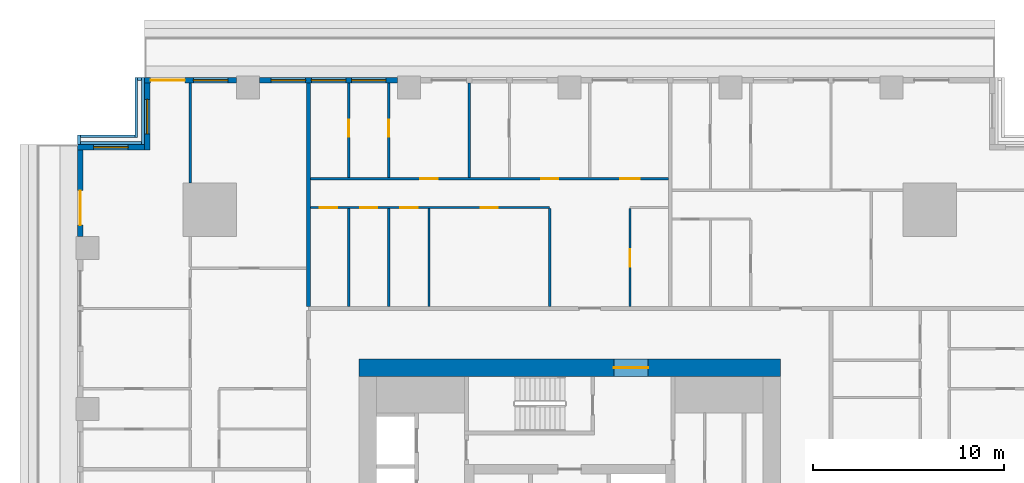
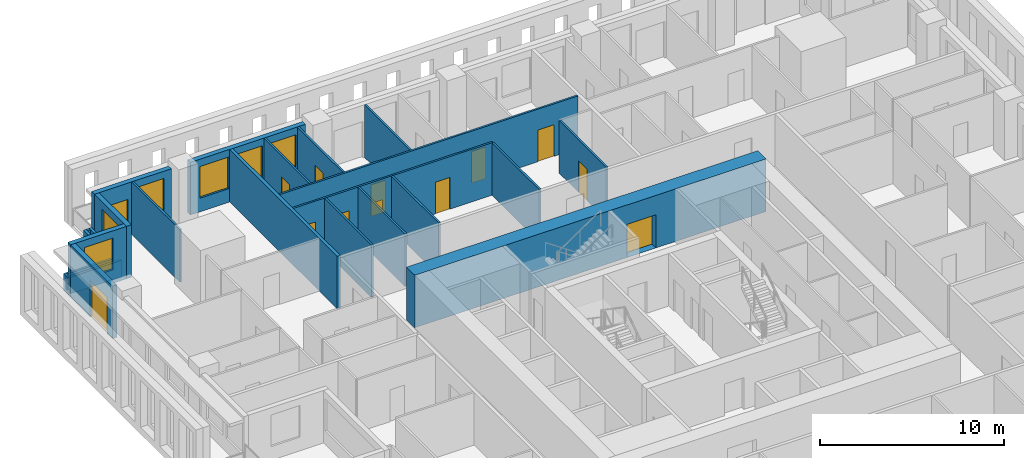
# One storey, part 8 of 16: 24 walls, 13 doors, 6 windows, 19 openings.
"""IFC4 building model written with IfcOpenShell, lengths in metres."""

from ifc_helpers import new_model, si_unit, direction, frame, frame_2d, origin, place, context, subcontext, project, spatial, rectangle, extrude, material, layer, layer_set, type_object, element, fill, save


model = new_model("IFC4")

# Units and contexts
model_context = context("Model", 3, precision=1e-05, world=origin(), true_north=direction((0.0, 1.0)))
body_context = subcontext(model_context, "Body", "Model", "MODEL_VIEW")
ifc_project = project(units=[si_unit("LENGTHUNIT", "METRE"), si_unit("AREAUNIT", "SQUARE_METRE"), si_unit("VOLUMEUNIT", "CUBIC_METRE"), si_unit("PLANEANGLEUNIT", "RADIAN"), si_unit("MASSUNIT", "GRAM", prefix="KILO")], contexts=[model_context])

# Site, building, storey
site_placement = place(None, origin())
site = spatial("IfcSite", under=ifc_project, at=site_placement, CompositionType="ELEMENT")
building_placement = place(site_placement, origin())
building = spatial("IfcBuilding", under=site, at=building_placement, Name="Khepri Terraces", CompositionType="ELEMENT")
storey_placement = place(building_placement, frame((0.0, 0.0, 79.199951171875)))
storey = spatial("IfcBuildingStorey", under=building, at=storey_placement, Name="L18", CompositionType="ELEMENT", Elevation=79.199951171875)

# Wall, opening, door
ifc_material_1 = material(Name="Concrete C70/85", Category="concrete")
ifc_layer_1 = layer(ifc_material_1, 0.89990234375, Name="Concrete C70/85", Category="concrete")
ifc_layer_set_1 = layer_set([ifc_layer_1], Name="Concrete C70/85")
wall_type_1 = type_object("IfcWallType", Name="Core wall 900 C70/85", PredefinedType="SHEAR", material=ifc_layer_set_1)
wall_1_placement = place(storey_placement, frame((-11.0, 10.550048828125, 0.0), z_axis=(0.0, 0.0, 1.0), x_axis=(1.0, 0.0, 0.0)))
wall_1 = element("IfcWall", 1, at=wall_1_placement, inside=storey, type_object=wall_type_1, Name="Core wall OW-N L18", PredefinedType="SHEAR", context=body_context, shape_type="SweptSolid", body=[
    extrude(rectangle(XDim=22.0, YDim=0.89990234375, at=frame_2d((11.0, 0.0))), origin(), (0.0, 0.0, 1.0), 3.47998046875),
])
opening_1_placement = place(wall_1_placement, frame((13.300048828125, 0.0, 0.0)))
opening_1 = element("IfcOpeningElement", 2, at=opening_1_placement, cuts=wall_1, Name="Opening L18-C20", PredefinedType="OPENING", context=body_context, shape_type="SweptSolid", body=[
    extrude(rectangle(XDim=1.800048828125, YDim=2.199951171875, at=frame_2d((0.89990234375, 1.10009765625))), frame((0.0, 0.4599609375, 0.0), z_axis=(0.0, -1.0, 0.0), x_axis=(1.0, 0.0, 0.0)), (0.0, 0.0, 1.0), 0.919921875),
])
ifc_material_2 = material(Name="Painted steel", Category="steel")
door_type_1 = type_object("IfcDoorType", Name="DR-CORE-ENTRANCE-1800", OperationType="NOTDEFINED", PredefinedType="DOOR", material=ifc_material_2)
door_1_placement = place(opening_1_placement, origin())
door_1 = element("IfcDoor", 3, at=door_1_placement, inside=storey, type_object=door_type_1, Name="Core entrance door pair L18-C20", OperationType="DOUBLE_DOOR_SINGLE_SWING", OverallHeight=2.199951171875, OverallWidth=1.800048828125, PredefinedType="DOOR", context=body_context, shape_type="SweptSolid", body=[
    extrude(rectangle(XDim=1.800048828125, YDim=2.199951171875, at=frame_2d((0.89990234375, 1.10009765625))), frame((0.0, 0.02490234375, 0.0), z_axis=(0.0, -1.0, 0.0), x_axis=(1.0, 0.0, 0.0)), (0.0, 0.0, 1.0), 0.050048828125),
])
fill(opening_1, door_1)

# Wall
ifc_material_3 = material(Name="Fire-rated gypsum plasterboard partition, mineral wool")
ifc_layer_2 = layer(ifc_material_3, 0.199951171875, Name="Fire-rated gypsum plasterboard partition, mineral wool")
ifc_layer_set_2 = layer_set([ifc_layer_2], Name="Fire-rated gypsum plasterboard partition, mineral wool")
wall_type_2 = type_object("IfcWallType", Name="WL-CORR-200", PredefinedType="PARTITIONING", material=ifc_layer_set_2)
wall_2_placement = place(storey_placement, frame((-13.64990234375, 13.75, 0.0), z_axis=(0.0, 0.0, 1.0), x_axis=(0.0, 1.0, 0.0)))
element("IfcWall", 4, at=wall_2_placement, inside=storey, type_object=wall_type_2, Name="Partition P-081 L18", PredefinedType="PARTITIONING", context=body_context, shape_type="SweptSolid", body=[
    extrude(rectangle(XDim=11.669921875, YDim=0.199951171875, at=frame_2d((5.8349609375, 0.0))), origin(), (0.0, 0.0, 1.0), 3.47998046875),
])

# Wall, openings, windows
ifc_material_4 = material(Name="Precast concrete C50/60 warm stone", Category="masonry")
ifc_layer_3 = layer(ifc_material_4, 0.300048828125, Name="Precast concrete C50/60 warm stone", Category="masonry")
ifc_layer_set_3 = layer_set([ifc_layer_3], Name="Precast concrete C50/60 warm stone")
wall_type_3 = type_object("IfcWallType", Name="WL-EXT-PRECAST-300", PredefinedType="STANDARD", material=ifc_layer_set_3)
wall_3_placement = place(storey_placement, frame((-9.0, 25.570068359375, 0.0), z_axis=(0.0, 0.0, 1.0), x_axis=(-1.0, 0.0, 0.0)))
wall_3 = element("IfcWall", 5, at=wall_3_placement, inside=storey, type_object=wall_type_3, Name="External wall L18 N", PredefinedType="STANDARD", context=body_context, shape_type="SweptSolid", body=[
    extrude(rectangle(XDim=7.199951171875, YDim=0.300048828125, at=frame_2d((3.60009765625, 0.0))), origin(), (0.0, 0.0, 1.0), 3.47998046875),
])
opening_2_placement = place(wall_3_placement, frame((0.60009765625, 0.0, 0.89990234375)))
opening_2 = element("IfcOpeningElement", 6, at=opening_2_placement, cuts=wall_3, Name="Opening W1", PredefinedType="OPENING", context=body_context, shape_type="SweptSolid", body=[
    extrude(rectangle(XDim=1.800048828125, YDim=2.10009765625, at=frame_2d((0.89990234375, 1.050048828125))), frame((0.0, 0.16015625, 0.0), z_axis=(0.0, -1.0, 0.0), x_axis=(1.0, 0.0, 0.0)), (0.0, 0.0, 1.0), 0.320068359375),
])
opening_3_placement = place(wall_3_placement, frame((2.699951171875, 0.0, 0.89990234375)))
opening_3 = element("IfcOpeningElement", 7, at=opening_3_placement, cuts=wall_3, Name="Opening W1", PredefinedType="OPENING", context=body_context, shape_type="SweptSolid", body=[
    extrude(rectangle(XDim=1.800048828125, YDim=2.10009765625, at=frame_2d((0.89990234375, 1.050048828125))), frame((0.0, 0.16015625, 0.0), z_axis=(0.0, -1.0, 0.0), x_axis=(1.0, 0.0, 0.0)), (0.0, 0.0, 1.0), 0.320068359375),
])
opening_4_placement = place(wall_3_placement, frame((4.800048828125, 0.0, 0.89990234375)))
opening_4 = element("IfcOpeningElement", 8, at=opening_4_placement, cuts=wall_3, Name="Opening W1", PredefinedType="OPENING", context=body_context, shape_type="SweptSolid", body=[
    extrude(rectangle(XDim=1.800048828125, YDim=2.10009765625, at=frame_2d((0.89990234375, 1.050048828125))), frame((0.0, 0.16015625, 0.0), z_axis=(0.0, -1.0, 0.0), x_axis=(1.0, 0.0, 0.0)), (0.0, 0.0, 1.0), 0.320068359375),
])
ifc_material_5 = material(Name="Clear glass", Category="glass")
window_type = type_object("IfcWindowType", Name="WIN-RES-1800x2100", PartitioningType="SINGLE_PANEL", PredefinedType="WINDOW", material=ifc_material_5)
window_1_placement = place(opening_2_placement, origin())
window_1 = element("IfcWindow", 9, at=window_1_placement, inside=storey, type_object=window_type, Name="Window L18 N", OverallHeight=2.10009765625, OverallWidth=1.800048828125, PartitioningType="SINGLE_PANEL", PredefinedType="WINDOW", context=body_context, shape_type="SweptSolid", body=[
    extrude(rectangle(XDim=1.800048828125, YDim=2.10009765625, at=frame_2d((0.89990234375, 1.050048828125))), frame((0.0, 0.030029296875, 0.0), z_axis=(0.0, -1.0, 0.0), x_axis=(1.0, 0.0, 0.0)), (0.0, 0.0, 1.0), 0.06005859375),
])
fill(opening_2, window_1)
window_2_placement = place(opening_3_placement, origin())
window_2 = element("IfcWindow", 10, at=window_2_placement, inside=storey, type_object=window_type, Name="Window L18 N", OverallHeight=2.10009765625, OverallWidth=1.800048828125, PartitioningType="SINGLE_PANEL", PredefinedType="WINDOW", context=body_context, shape_type="SweptSolid", body=[
    extrude(rectangle(XDim=1.800048828125, YDim=2.10009765625, at=frame_2d((0.89990234375, 1.050048828125))), frame((0.0, 0.030029296875, 0.0), z_axis=(0.0, -1.0, 0.0), x_axis=(1.0, 0.0, 0.0)), (0.0, 0.0, 1.0), 0.06005859375),
])
fill(opening_3, window_2)
window_3_placement = place(opening_4_placement, origin())
window_3 = element("IfcWindow", 11, at=window_3_placement, inside=storey, type_object=window_type, Name="Window L18 N", OverallHeight=2.10009765625, OverallWidth=1.800048828125, PartitioningType="SINGLE_PANEL", PredefinedType="WINDOW", context=body_context, shape_type="SweptSolid", body=[
    extrude(rectangle(XDim=1.800048828125, YDim=2.10009765625, at=frame_2d((0.89990234375, 1.050048828125))), frame((0.0, 0.030029296875, 0.0), z_axis=(0.0, -1.0, 0.0), x_axis=(1.0, 0.0, 0.0)), (0.0, 0.0, 1.0), 0.06005859375),
])
fill(opening_4, window_3)

# Wall, openings, door, window
wall_4_placement = place(storey_placement, frame((-17.39990234375, 25.570068359375, 0.0), z_axis=(0.0, 0.0, 1.0), x_axis=(-1.0, 0.0, 0.0)))
wall_4 = element("IfcWall", 12, at=wall_4_placement, inside=storey, type_object=wall_type_3, Name="External wall L18 N", PredefinedType="STANDARD", context=body_context, shape_type="SweptSolid", body=[
    extrude(rectangle(XDim=4.820068359375, YDim=0.300048828125, at=frame_2d((2.41015625, 0.0))), origin(), (0.0, 0.0, 1.0), 3.47998046875),
])
opening_5_placement = place(wall_4_placement, frame((2.699951171875, 0.0, 0.0)))
opening_5 = element("IfcOpeningElement", 13, at=opening_5_placement, cuts=wall_4, Name="Opening ED-L18-13", PredefinedType="OPENING", context=body_context, shape_type="SweptSolid", body=[
    extrude(rectangle(XDim=1.800048828125, YDim=2.39990234375, at=frame_2d((0.89990234375, 1.199951171875))), frame((0.0, 0.16015625, 0.0), z_axis=(0.0, -1.0, 0.0), x_axis=(1.0, 0.0, 0.0)), (0.0, 0.0, 1.0), 0.320068359375),
])
opening_6_placement = place(wall_4_placement, frame((0.4599609375, 0.0, 0.89990234375)))
opening_6 = element("IfcOpeningElement", 14, at=opening_6_placement, cuts=wall_4, Name="Opening W1", PredefinedType="OPENING", context=body_context, shape_type="SweptSolid", body=[
    extrude(rectangle(XDim=1.800048828125, YDim=2.10009765625, at=frame_2d((0.89990234375, 1.050048828125))), frame((0.0, 0.16015625, 0.0), z_axis=(0.0, -1.0, 0.0), x_axis=(1.0, 0.0, 0.0)), (0.0, 0.0, 1.0), 0.320068359375),
])
ifc_material_6 = material(Name="Anodised aluminium bronze glazed door", Category="aluminium")
door_type_2 = type_object("IfcDoorType", Name="DR-BAL-SLIDE-1800x2400", OperationType="NOTDEFINED", PredefinedType="DOOR", material=ifc_material_6)
door_2_placement = place(opening_5_placement, origin())
door_2 = element("IfcDoor", 15, at=door_2_placement, inside=storey, type_object=door_type_2, Name="Balcony door L18 N", OperationType="SLIDING_TO_LEFT", OverallHeight=2.39990234375, OverallWidth=1.800048828125, PredefinedType="DOOR", context=body_context, shape_type="SweptSolid", body=[
    extrude(rectangle(XDim=1.800048828125, YDim=2.39990234375, at=frame_2d((0.89990234375, 1.199951171875))), frame((0.0, 0.02490234375, 0.0), z_axis=(0.0, -1.0, 0.0), x_axis=(1.0, 0.0, 0.0)), (0.0, 0.0, 1.0), 0.050048828125),
])
fill(opening_5, door_2)
window_4_placement = place(opening_6_placement, origin())
window_4 = element("IfcWindow", 16, at=window_4_placement, inside=storey, type_object=window_type, Name="Window L18 N", OverallHeight=2.10009765625, OverallWidth=1.800048828125, PartitioningType="SINGLE_PANEL", PredefinedType="WINDOW", context=body_context, shape_type="SweptSolid", body=[
    extrude(rectangle(XDim=1.800048828125, YDim=2.10009765625, at=frame_2d((0.89990234375, 1.050048828125))), frame((0.0, 0.030029296875, 0.0), z_axis=(0.0, -1.0, 0.0), x_axis=(1.0, 0.0, 0.0)), (0.0, 0.0, 1.0), 0.06005859375),
])
fill(opening_6, window_4)

# Wall, opening, window
wall_5_placement = place(storey_placement, frame((-22.070068359375, 25.419921875, 0.0), z_axis=(0.0, 0.0, 1.0), x_axis=(0.0, -1.0, 0.0)))
wall_5 = element("IfcWall", 17, at=wall_5_placement, inside=storey, type_object=wall_type_3, Name="External wall L18 W", PredefinedType="STANDARD", context=body_context, shape_type="SweptSolid", body=[
    extrude(rectangle(XDim=3.5, YDim=0.300048828125, at=frame_2d((1.75, 0.0))), origin(), (0.0, 0.0, 1.0), 3.47998046875),
])
opening_7_placement = place(wall_5_placement, frame((0.85009765625, 0.0, 0.89990234375)))
opening_7 = element("IfcOpeningElement", 18, at=opening_7_placement, cuts=wall_5, Name="Opening W1", PredefinedType="OPENING", context=body_context, shape_type="SweptSolid", body=[
    extrude(rectangle(XDim=1.800048828125, YDim=2.10009765625, at=frame_2d((0.89990234375, 1.050048828125))), frame((0.0, 0.16015625, 0.0), z_axis=(0.0, -1.0, 0.0), x_axis=(1.0, 0.0, 0.0)), (0.0, 0.0, 1.0), 0.320068359375),
])
window_5_placement = place(opening_7_placement, origin())
window_5 = element("IfcWindow", 19, at=window_5_placement, inside=storey, type_object=window_type, Name="Window L18 W", OverallHeight=2.10009765625, OverallWidth=1.800048828125, PartitioningType="SINGLE_PANEL", PredefinedType="WINDOW", context=body_context, shape_type="SweptSolid", body=[
    extrude(rectangle(XDim=1.800048828125, YDim=2.10009765625, at=frame_2d((0.89990234375, 1.050048828125))), frame((0.0, 0.030029296875, 0.0), z_axis=(0.0, -1.0, 0.0), x_axis=(1.0, 0.0, 0.0)), (0.0, 0.0, 1.0), 0.06005859375),
])
fill(opening_7, window_5)

wall_6_placement = place(storey_placement, frame((-22.219970703125, 22.070068359375, 0.0), z_axis=(0.0, 0.0, 1.0), x_axis=(-1.0, 0.0, 0.0)))
wall_6 = element("IfcWall", 20, at=wall_6_placement, inside=storey, type_object=wall_type_3, Name="External wall L18 N", PredefinedType="STANDARD", context=body_context, shape_type="SweptSolid", body=[
    extrude(rectangle(XDim=3.5, YDim=0.300048828125, at=frame_2d((1.75, 0.0))), origin(), (0.0, 0.0, 1.0), 3.47998046875),
])
opening_8_placement = place(wall_6_placement, frame((0.85009765625, 0.0, 0.89990234375)))
opening_8 = element("IfcOpeningElement", 21, at=opening_8_placement, cuts=wall_6, Name="Opening W1", PredefinedType="OPENING", context=body_context, shape_type="SweptSolid", body=[
    extrude(rectangle(XDim=1.800048828125, YDim=2.10009765625, at=frame_2d((0.89990234375, 1.050048828125))), frame((0.0, 0.16015625, 0.0), z_axis=(0.0, -1.0, 0.0), x_axis=(1.0, 0.0, 0.0)), (0.0, 0.0, 1.0), 0.320068359375),
])
window_6_placement = place(opening_8_placement, origin())
window_6 = element("IfcWindow", 22, at=window_6_placement, inside=storey, type_object=window_type, Name="Window L18 N", OverallHeight=2.10009765625, OverallWidth=1.800048828125, PartitioningType="SINGLE_PANEL", PredefinedType="WINDOW", context=body_context, shape_type="SweptSolid", body=[
    extrude(rectangle(XDim=1.800048828125, YDim=2.10009765625, at=frame_2d((0.89990234375, 1.050048828125))), frame((0.0, 0.030029296875, 0.0), z_axis=(0.0, -1.0, 0.0), x_axis=(1.0, 0.0, 0.0)), (0.0, 0.0, 1.0), 0.06005859375),
])
fill(opening_8, window_6)

# Wall, opening, door
wall_7_placement = place(storey_placement, frame((-25.570068359375, 21.919921875, 0.0), z_axis=(0.0, 0.0, 1.0), x_axis=(0.0, -1.0, 0.0)))
wall_7 = element("IfcWall", 23, at=wall_7_placement, inside=storey, type_object=wall_type_3, Name="External wall L18 W", PredefinedType="STANDARD", context=body_context, shape_type="SweptSolid", body=[
    extrude(rectangle(XDim=4.52001953125, YDim=0.300048828125, at=frame_2d((2.260009765625, 0.0))), origin(), (0.0, 0.0, 1.0), 3.47998046875),
])
opening_9_placement = place(wall_7_placement, frame((2.1201171875, 0.0, 0.0)))
opening_9 = element("IfcOpeningElement", 24, at=opening_9_placement, cuts=wall_7, Name="Opening ED-L18-14", PredefinedType="OPENING", context=body_context, shape_type="SweptSolid", body=[
    extrude(rectangle(XDim=1.800048828125, YDim=2.39990234375, at=frame_2d((0.89990234375, 1.199951171875))), frame((0.0, 0.16015625, 0.0), z_axis=(0.0, -1.0, 0.0), x_axis=(1.0, 0.0, 0.0)), (0.0, 0.0, 1.0), 0.320068359375),
])
door_3_placement = place(opening_9_placement, origin())
door_3 = element("IfcDoor", 25, at=door_3_placement, inside=storey, type_object=door_type_2, Name="Balcony door L18 W", OperationType="SLIDING_TO_RIGHT", OverallHeight=2.39990234375, OverallWidth=1.800048828125, PredefinedType="DOOR", context=body_context, shape_type="SweptSolid", body=[
    extrude(rectangle(XDim=1.800048828125, YDim=2.39990234375, at=frame_2d((0.89990234375, 1.199951171875))), frame((0.0, 0.02490234375, 0.0), z_axis=(0.0, -1.0, 0.0), x_axis=(1.0, 0.0, 0.0)), (0.0, 0.0, 1.0), 0.050048828125),
])
fill(opening_9, door_3)

# Walls
ifc_layer_4 = layer(ifc_material_4, 0.14990234375, Name="Precast concrete C50/60 warm stone", Category="masonry")
ifc_layer_set_4 = layer_set([ifc_layer_4], Name="Precast concrete C50/60 warm stone")
wall_type_4 = type_object("IfcWallType", Name="WL-PARAPET-150", PredefinedType="PARAPET", material=ifc_layer_set_4)
wall_8_placement = place(storey_placement, frame((-25.64501953125, 22.219970703125, 0.0), z_axis=(0.0, 0.0, 1.0), x_axis=(0.0, 1.0, 0.0)))
element("IfcWall", 26, at=wall_8_placement, inside=storey, type_object=wall_type_4, Name="Ledge parapet L18", PredefinedType="PARAPET", context=body_context, shape_type="SweptSolid", body=[
    extrude(rectangle(XDim=0.5, YDim=0.14990234375, at=frame_2d((0.25, 0.0))), origin(), (0.0, 0.0, 1.0), 1.10009765625),
])
wall_9_placement = place(storey_placement, frame((-25.570068359375, 22.64501953125, 0.0), z_axis=(0.0, 0.0, 1.0), x_axis=(1.0, 0.0, 0.0)))
element("IfcWall", 27, at=wall_9_placement, inside=storey, type_object=wall_type_4, Name="Ledge parapet L18", PredefinedType="PARAPET", context=body_context, shape_type="SweptSolid", body=[
    extrude(rectangle(XDim=2.85009765625, YDim=0.14990234375, at=frame_2d((1.425048828125, 0.0))), origin(), (0.0, 0.0, 1.0), 1.10009765625),
])
wall_10_placement = place(storey_placement, frame((-25.570068359375, 22.294921875, 0.0), z_axis=(0.0, 0.0, 1.0), x_axis=(1.0, 0.0, 0.0)))
element("IfcWall", 28, at=wall_10_placement, inside=storey, type_object=wall_type_4, Name="Ledge parapet L18", PredefinedType="PARAPET", context=body_context, shape_type="SweptSolid", body=[
    extrude(rectangle(XDim=3.199951171875, YDim=0.14990234375, at=frame_2d((1.60009765625, 0.0))), origin(), (0.0, 0.0, 1.0), 1.10009765625),
])
wall_11_placement = place(storey_placement, frame((-22.64501953125, 22.570068359375, 0.0), z_axis=(0.0, 0.0, 1.0), x_axis=(0.0, 1.0, 0.0)))
element("IfcWall", 29, at=wall_11_placement, inside=storey, type_object=wall_type_4, Name="Ledge parapet L18", PredefinedType="PARAPET", context=body_context, shape_type="SweptSolid", body=[
    extrude(rectangle(XDim=3.14990234375, YDim=0.14990234375, at=frame_2d((1.574951171875, 0.0))), origin(), (0.0, 0.0, 1.0), 1.10009765625),
])
wall_12_placement = place(storey_placement, frame((-22.570068359375, 25.64501953125, 0.0), z_axis=(0.0, 0.0, 1.0), x_axis=(1.0, 0.0, 0.0)))
element("IfcWall", 30, at=wall_12_placement, inside=storey, type_object=wall_type_4, Name="Ledge parapet L18", PredefinedType="PARAPET", context=body_context, shape_type="SweptSolid", body=[
    extrude(rectangle(XDim=0.199951171875, YDim=0.14990234375, at=frame_2d((0.10009765625, 0.0))), origin(), (0.0, 0.0, 1.0), 1.10009765625),
])
wall_13_placement = place(storey_placement, frame((-22.294921875, 22.219970703125, 0.0), z_axis=(0.0, 0.0, 1.0), x_axis=(0.0, 1.0, 0.0)))
element("IfcWall", 31, at=wall_13_placement, inside=storey, type_object=wall_type_4, Name="Ledge parapet L18", PredefinedType="PARAPET", context=body_context, shape_type="SweptSolid", body=[
    extrude(rectangle(XDim=3.5, YDim=0.14990234375, at=frame_2d((1.75, 0.0))), origin(), (0.0, 0.0, 1.0), 1.10009765625),
])
ifc_material_7 = material(Name="Gypsum plasterboard partition")
ifc_layer_5 = layer(ifc_material_7, 0.1201171875, Name="Gypsum plasterboard partition")
ifc_layer_set_5 = layer_set([ifc_layer_5], Name="Gypsum plasterboard partition")
wall_type_5 = type_object("IfcWallType", Name="WL-PART-120", PredefinedType="PARTITIONING", material=ifc_layer_set_5)
for number, where, z_axis, x_axis, name in (
    (32, (-11.550048828125, 13.75, 0.0), (0.0, 0.0, 1.0), (0.0, 1.0, 0.0), "Partition P-082 L18"),
    (33, (-9.449951171875, 13.75, 0.0), (0.0, 0.0, 1.0), (0.0, 1.0, 0.0), "Partition P-083 L18"),
    (34, (-7.35009765625, 13.75, 0.0), (0.0, 0.0, 1.0), (0.0, 1.0, 0.0), "Partition P-084 L18"),
    (35, (-1.050048828125, 13.75, 0.0), (0.0, 0.0, 1.0), (0.0, 1.0, 0.0), "Partition P-085 L18"),
):
    element("IfcWall", number, at=place(storey_placement, frame(where, z_axis=z_axis, x_axis=x_axis)), inside=storey, type_object=wall_type_5, Name=name, PredefinedType="PARTITIONING", context=body_context, shape_type="SweptSolid", body=[
        extrude(rectangle(XDim=5.110107421875, YDim=0.1201171875, at=frame_2d((2.55517578125, 0.0))), origin(), (0.0, 0.0, 1.0), 3.47998046875),
    ])

# Wall, opening, door
wall_14_placement = place(storey_placement, frame((3.14990234375, 13.75, 0.0), z_axis=(0.0, 0.0, 1.0), x_axis=(0.0, 1.0, 0.0)))
wall_14 = element("IfcWall", 36, at=wall_14_placement, inside=storey, type_object=wall_type_5, Name="Partition P-086 L18", PredefinedType="PARTITIONING", context=body_context, shape_type="SweptSolid", body=[
    extrude(rectangle(XDim=5.110107421875, YDim=0.1201171875, at=frame_2d((2.55517578125, 0.0))), origin(), (0.0, 0.0, 1.0), 3.47998046875),
])
opening_10_placement = place(wall_14_placement, frame((2.0849609375, 0.0, 0.0)))
opening_10 = element("IfcOpeningElement", 37, at=opening_10_placement, cuts=wall_14, Name="Opening D3", PredefinedType="OPENING", context=body_context, shape_type="SweptSolid", body=[
    extrude(rectangle(XDim=0.89990234375, YDim=2.10009765625, at=frame_2d((0.449951171875, 1.050048828125))), frame((0.0, 0.070068359375, 0.0), z_axis=(0.0, -1.0, 0.0), x_axis=(1.0, 0.0, 0.0)), (0.0, 0.0, 1.0), 0.14013671875),
])
ifc_material_8 = material(Name="Timber door leaf", Category="wood")
door_type_3 = type_object("IfcDoorType", Name="DR-INT-900", OperationType="NOTDEFINED", PredefinedType="DOOR", material=ifc_material_8)
door_4_placement = place(opening_10_placement, frame((0.89990234375, 0.0, 0.0), z_axis=(0.0, 0.0, 1.0), x_axis=(-1.0, 0.0, 0.0)))
door_4 = element("IfcDoor", 38, at=door_4_placement, inside=storey, type_object=door_type_3, Name="Door Utility Room", OperationType="SINGLE_SWING_RIGHT", OverallHeight=2.10009765625, OverallWidth=0.89990234375, PredefinedType="DOOR", context=body_context, shape_type="SweptSolid", body=[
    extrude(rectangle(XDim=0.89990234375, YDim=2.10009765625, at=frame_2d((0.449951171875, 1.050048828125))), frame((0.0, 0.02490234375, 0.0), z_axis=(0.0, -1.0, 0.0), x_axis=(1.0, 0.0, 0.0)), (0.0, 0.0, 1.0), 0.050048828125),
])
fill(opening_10, door_4)

# Wall, openings, doors
wall_15_placement = place(storey_placement, frame((-13.550048828125, 18.919921875, 0.0), z_axis=(0.0, 0.0, 1.0), x_axis=(1.0, 0.0, 0.0)))
wall_15 = element("IfcWall", 39, at=wall_15_placement, inside=storey, type_object=wall_type_5, Name="Partition P-094 L18", PredefinedType="PARTITIONING", context=body_context, shape_type="SweptSolid", body=[
    extrude(rectangle(XDim=12.5, YDim=0.1201171875, at=frame_2d((6.25, 0.0))), origin(), (0.0, 0.0, 1.0), 3.47998046875),
])
opening_11_placement = place(wall_15_placement, frame((8.89990234375, 0.0, 0.0)))
opening_11 = element("IfcOpeningElement", 40, at=opening_11_placement, cuts=wall_15, Name="Opening D3", PredefinedType="OPENING", context=body_context, shape_type="SweptSolid", body=[
    extrude(rectangle(XDim=0.89990234375, YDim=2.10009765625, at=frame_2d((0.449951171875, 1.050048828125))), frame((0.0, 0.070068359375, 0.0), z_axis=(0.0, -1.0, 0.0), x_axis=(1.0, 0.0, 0.0)), (0.0, 0.0, 1.0), 0.14013671875),
])
opening_12_placement = place(wall_15_placement, frame((4.699951171875, 0.0, 0.0)))
opening_12 = element("IfcOpeningElement", 41, at=opening_12_placement, cuts=wall_15, Name="Opening D3", PredefinedType="OPENING", context=body_context, shape_type="SweptSolid", body=[
    extrude(rectangle(XDim=0.89990234375, YDim=2.10009765625, at=frame_2d((0.449951171875, 1.050048828125))), frame((0.0, 0.070068359375, 0.0), z_axis=(0.0, -1.0, 0.0), x_axis=(1.0, 0.0, 0.0)), (0.0, 0.0, 1.0), 0.14013671875),
])
opening_13_placement = place(wall_15_placement, frame((2.60009765625, 0.0, 0.0)))
opening_13 = element("IfcOpeningElement", 42, at=opening_13_placement, cuts=wall_15, Name="Opening D4", PredefinedType="OPENING", context=body_context, shape_type="SweptSolid", body=[
    extrude(rectangle(XDim=0.89990234375, YDim=2.10009765625, at=frame_2d((0.449951171875, 1.050048828125))), frame((0.0, 0.070068359375, 0.0), z_axis=(0.0, -1.0, 0.0), x_axis=(1.0, 0.0, 0.0)), (0.0, 0.0, 1.0), 0.14013671875),
])
opening_14_placement = place(wall_15_placement, frame((0.5, 0.0, 0.0)))
opening_14 = element("IfcOpeningElement", 43, at=opening_14_placement, cuts=wall_15, Name="Opening D4", PredefinedType="OPENING", context=body_context, shape_type="SweptSolid", body=[
    extrude(rectangle(XDim=0.89990234375, YDim=2.10009765625, at=frame_2d((0.449951171875, 1.050048828125))), frame((0.0, 0.070068359375, 0.0), z_axis=(0.0, -1.0, 0.0), x_axis=(1.0, 0.0, 0.0)), (0.0, 0.0, 1.0), 0.14013671875),
])
door_5_placement = place(opening_11_placement, frame((0.89990234375, 0.0, 0.0), z_axis=(0.0, 0.0, 1.0), x_axis=(-1.0, 0.0, 0.0)))
door_5 = element("IfcDoor", 44, at=door_5_placement, inside=storey, type_object=door_type_3, Name="Door Kitchen", OperationType="SINGLE_SWING_LEFT", OverallHeight=2.10009765625, OverallWidth=0.89990234375, PredefinedType="DOOR", context=body_context, shape_type="SweptSolid", body=[
    extrude(rectangle(XDim=0.89990234375, YDim=2.10009765625, at=frame_2d((0.449951171875, 1.050048828125))), frame((0.0, 0.02490234375, 0.0), z_axis=(0.0, -1.0, 0.0), x_axis=(1.0, 0.0, 0.0)), (0.0, 0.0, 1.0), 0.050048828125),
])
fill(opening_11, door_5)
door_6_placement = place(opening_12_placement, frame((0.89990234375, 0.0, 0.0), z_axis=(0.0, 0.0, 1.0), x_axis=(-1.0, 0.0, 0.0)))
door_6 = element("IfcDoor", 45, at=door_6_placement, inside=storey, type_object=door_type_3, Name="Door Service Store", OperationType="SINGLE_SWING_RIGHT", OverallHeight=2.10009765625, OverallWidth=0.89990234375, PredefinedType="DOOR", context=body_context, shape_type="SweptSolid", body=[
    extrude(rectangle(XDim=0.89990234375, YDim=2.10009765625, at=frame_2d((0.449951171875, 1.050048828125))), frame((0.0, 0.02490234375, 0.0), z_axis=(0.0, -1.0, 0.0), x_axis=(1.0, 0.0, 0.0)), (0.0, 0.0, 1.0), 0.050048828125),
])
fill(opening_12, door_6)
ifc_material_9 = material(Name="Timber door leaf, moisture resistant", Category="wood")
door_type_4 = type_object("IfcDoorType", Name="DR-WET-900", OperationType="NOTDEFINED", PredefinedType="DOOR", material=ifc_material_9)
door_7_placement = place(opening_13_placement, frame((0.89990234375, 0.0, 0.0), z_axis=(0.0, 0.0, 1.0), x_axis=(-1.0, 0.0, 0.0)))
door_7 = element("IfcDoor", 46, at=door_7_placement, inside=storey, type_object=door_type_4, Name="Door Powder Room", OperationType="SINGLE_SWING_RIGHT", OverallHeight=2.10009765625, OverallWidth=0.89990234375, PredefinedType="DOOR", context=body_context, shape_type="SweptSolid", body=[
    extrude(rectangle(XDim=0.89990234375, YDim=2.10009765625, at=frame_2d((0.449951171875, 1.050048828125))), frame((0.0, 0.02490234375, 0.0), z_axis=(0.0, -1.0, 0.0), x_axis=(1.0, 0.0, 0.0)), (0.0, 0.0, 1.0), 0.050048828125),
])
fill(opening_13, door_7)
door_8_placement = place(opening_14_placement, frame((0.89990234375, 0.0, 0.0), z_axis=(0.0, 0.0, 1.0), x_axis=(-1.0, 0.0, 0.0)))
door_8 = element("IfcDoor", 47, at=door_8_placement, inside=storey, type_object=door_type_4, Name="Door Guest Bathroom", OperationType="SINGLE_SWING_RIGHT", OverallHeight=2.10009765625, OverallWidth=0.89990234375, PredefinedType="DOOR", context=body_context, shape_type="SweptSolid", body=[
    extrude(rectangle(XDim=0.89990234375, YDim=2.10009765625, at=frame_2d((0.449951171875, 1.050048828125))), frame((0.0, 0.02490234375, 0.0), z_axis=(0.0, -1.0, 0.0), x_axis=(1.0, 0.0, 0.0)), (0.0, 0.0, 1.0), 0.050048828125),
])
fill(opening_14, door_8)

# Wall
wall_16_placement = place(storey_placement, frame((-19.820068359375, 20.199951171875, 0.0), z_axis=(0.0, 0.0, 1.0), x_axis=(0.0, 1.0, 0.0)))
element("IfcWall", 48, at=wall_16_placement, inside=storey, type_object=wall_type_5, Name="Partition P-101 L18", PredefinedType="PARTITIONING", context=body_context, shape_type="SweptSolid", body=[
    extrude(rectangle(XDim=5.219970703125, YDim=0.1201171875, at=frame_2d((2.60986328125, 0.0))), origin(), (0.0, 0.0, 1.0), 3.47998046875),
])

# Wall, openings, doors
wall_17_placement = place(storey_placement, frame((-13.550048828125, 20.419921875, 0.0), z_axis=(0.0, 0.0, 1.0), x_axis=(1.0, 0.0, 0.0)))
wall_17 = element("IfcWall", 49, at=wall_17_placement, inside=storey, type_object=wall_type_5, Name="Partition P-102 L18", PredefinedType="PARTITIONING", context=body_context, shape_type="SweptSolid", body=[
    extrude(rectangle(XDim=18.699951171875, YDim=0.1201171875, at=frame_2d((9.35009765625, 0.0))), origin(), (0.0, 0.0, 1.0), 3.47998046875),
])
opening_15_placement = place(wall_17_placement, frame((16.199951171875, 0.0, 0.0)))
opening_15 = element("IfcOpeningElement", 50, at=opening_15_placement, cuts=wall_17, Name="Opening D2", PredefinedType="OPENING", context=body_context, shape_type="SweptSolid", body=[
    extrude(rectangle(XDim=1.0, YDim=2.10009765625, at=frame_2d((0.5, 1.050048828125))), frame((0.0, 0.070068359375, 0.0), z_axis=(0.0, -1.0, 0.0), x_axis=(1.0, 0.0, 0.0)), (0.0, 0.0, 1.0), 0.14013671875),
])
opening_16_placement = place(wall_17_placement, frame((12.050048828125, 0.0, 0.0)))
opening_16 = element("IfcOpeningElement", 51, at=opening_16_placement, cuts=wall_17, Name="Opening D3", PredefinedType="OPENING", context=body_context, shape_type="SweptSolid", body=[
    extrude(rectangle(XDim=0.89990234375, YDim=2.10009765625, at=frame_2d((0.449951171875, 1.050048828125))), frame((0.0, 0.070068359375, 0.0), z_axis=(0.0, -1.0, 0.0), x_axis=(1.0, 0.0, 0.0)), (0.0, 0.0, 1.0), 0.14013671875),
])
opening_17_placement = place(wall_17_placement, frame((5.75, 0.0, 0.0)))
opening_17 = element("IfcOpeningElement", 52, at=opening_17_placement, cuts=wall_17, Name="Opening D3", PredefinedType="OPENING", context=body_context, shape_type="SweptSolid", body=[
    extrude(rectangle(XDim=0.89990234375, YDim=2.10009765625, at=frame_2d((0.449951171875, 1.050048828125))), frame((0.0, 0.070068359375, 0.0), z_axis=(0.0, -1.0, 0.0), x_axis=(1.0, 0.0, 0.0)), (0.0, 0.0, 1.0), 0.14013671875),
])
ifc_material_10 = material(Name="Timber door leaf, living room door", Category="wood")
door_type_5 = type_object("IfcDoorType", Name="DR-INT-1000", OperationType="NOTDEFINED", PredefinedType="DOOR", material=ifc_material_10)
door_9_placement = place(opening_15_placement, origin())
door_9 = element("IfcDoor", 53, at=door_9_placement, inside=storey, type_object=door_type_5, Name="Door Living Room", OperationType="SINGLE_SWING_RIGHT", OverallHeight=2.10009765625, OverallWidth=1.0, PredefinedType="DOOR", context=body_context, shape_type="SweptSolid", body=[
    extrude(rectangle(XDim=1.0, YDim=2.10009765625, at=frame_2d((0.5, 1.050048828125))), frame((0.0, 0.02490234375, 0.0), z_axis=(0.0, -1.0, 0.0), x_axis=(1.0, 0.0, 0.0)), (0.0, 0.0, 1.0), 0.050048828125),
])
fill(opening_15, door_9)
door_10_placement = place(opening_16_placement, origin())
door_10 = element("IfcDoor", 54, at=door_10_placement, inside=storey, type_object=door_type_3, Name="Door Bedroom", OperationType="SINGLE_SWING_RIGHT", OverallHeight=2.10009765625, OverallWidth=0.89990234375, PredefinedType="DOOR", context=body_context, shape_type="SweptSolid", body=[
    extrude(rectangle(XDim=0.89990234375, YDim=2.10009765625, at=frame_2d((0.449951171875, 1.050048828125))), frame((0.0, 0.02490234375, 0.0), z_axis=(0.0, -1.0, 0.0), x_axis=(1.0, 0.0, 0.0)), (0.0, 0.0, 1.0), 0.050048828125),
])
fill(opening_16, door_10)
door_11_placement = place(opening_17_placement, origin())
door_11 = element("IfcDoor", 55, at=door_11_placement, inside=storey, type_object=door_type_3, Name="Door Master Bedroom", OperationType="SINGLE_SWING_LEFT", OverallHeight=2.10009765625, OverallWidth=0.89990234375, PredefinedType="DOOR", context=body_context, shape_type="SweptSolid", body=[
    extrude(rectangle(XDim=0.89990234375, YDim=2.10009765625, at=frame_2d((0.449951171875, 1.050048828125))), frame((0.0, 0.02490234375, 0.0), z_axis=(0.0, -1.0, 0.0), x_axis=(1.0, 0.0, 0.0)), (0.0, 0.0, 1.0), 0.050048828125),
])
fill(opening_17, door_11)

# Wall, opening, door
wall_18_placement = place(storey_placement, frame((-11.550048828125, 20.47998046875, 0.0), z_axis=(0.0, 0.0, 1.0), x_axis=(0.0, 1.0, 0.0)))
wall_18 = element("IfcWall", 56, at=wall_18_placement, inside=storey, type_object=wall_type_5, Name="Partition P-103 L18", PredefinedType="PARTITIONING", context=body_context, shape_type="SweptSolid", body=[
    extrude(rectangle(XDim=4.93994140625, YDim=0.1201171875, at=frame_2d((2.469970703125, 0.0))), origin(), (0.0, 0.0, 1.0), 3.47998046875),
])
opening_18_placement = place(wall_18_placement, frame((2.139892578125, 0.0, 0.0)))
opening_18 = element("IfcOpeningElement", 57, at=opening_18_placement, cuts=wall_18, Name="Opening D4", PredefinedType="OPENING", context=body_context, shape_type="SweptSolid", body=[
    extrude(rectangle(XDim=0.89990234375, YDim=2.10009765625, at=frame_2d((0.449951171875, 1.050048828125))), frame((0.0, 0.070068359375, 0.0), z_axis=(0.0, -1.0, 0.0), x_axis=(1.0, 0.0, 0.0)), (0.0, 0.0, 1.0), 0.14013671875),
])
door_12_placement = place(opening_18_placement, origin())
door_12 = element("IfcDoor", 58, at=door_12_placement, inside=storey, type_object=door_type_4, Name="Door Bathroom", OperationType="SINGLE_SWING_RIGHT", OverallHeight=2.10009765625, OverallWidth=0.89990234375, PredefinedType="DOOR", context=body_context, shape_type="SweptSolid", body=[
    extrude(rectangle(XDim=0.89990234375, YDim=2.10009765625, at=frame_2d((0.449951171875, 1.050048828125))), frame((0.0, 0.02490234375, 0.0), z_axis=(0.0, -1.0, 0.0), x_axis=(1.0, 0.0, 0.0)), (0.0, 0.0, 1.0), 0.050048828125),
])
fill(opening_18, door_12)

wall_19_placement = place(storey_placement, frame((-9.449951171875, 20.47998046875, 0.0), z_axis=(0.0, 0.0, 1.0), x_axis=(0.0, 1.0, 0.0)))
wall_19 = element("IfcWall", 59, at=wall_19_placement, inside=storey, type_object=wall_type_5, Name="Partition P-104 L18", PredefinedType="PARTITIONING", context=body_context, shape_type="SweptSolid", body=[
    extrude(rectangle(XDim=4.93994140625, YDim=0.1201171875, at=frame_2d((2.469970703125, 0.0))), origin(), (0.0, 0.0, 1.0), 3.47998046875),
])
opening_19_placement = place(wall_19_placement, frame((2.139892578125, 0.0, 0.0)))
opening_19 = element("IfcOpeningElement", 60, at=opening_19_placement, cuts=wall_19, Name="Opening D3", PredefinedType="OPENING", context=body_context, shape_type="SweptSolid", body=[
    extrude(rectangle(XDim=0.89990234375, YDim=2.10009765625, at=frame_2d((0.449951171875, 1.050048828125))), frame((0.0, 0.070068359375, 0.0), z_axis=(0.0, -1.0, 0.0), x_axis=(1.0, 0.0, 0.0)), (0.0, 0.0, 1.0), 0.14013671875),
])
door_13_placement = place(opening_19_placement, origin())
door_13 = element("IfcDoor", 61, at=door_13_placement, inside=storey, type_object=door_type_3, Name="Door Dressing Room", OperationType="SINGLE_SWING_RIGHT", OverallHeight=2.10009765625, OverallWidth=0.89990234375, PredefinedType="DOOR", context=body_context, shape_type="SweptSolid", body=[
    extrude(rectangle(XDim=0.89990234375, YDim=2.10009765625, at=frame_2d((0.449951171875, 1.050048828125))), frame((0.0, 0.02490234375, 0.0), z_axis=(0.0, -1.0, 0.0), x_axis=(1.0, 0.0, 0.0)), (0.0, 0.0, 1.0), 0.050048828125),
])
fill(opening_19, door_13)

# Wall
wall_20_placement = place(storey_placement, frame((-5.25, 20.47998046875, 0.0), z_axis=(0.0, 0.0, 1.0), x_axis=(0.0, 1.0, 0.0)))
element("IfcWall", 62, at=wall_20_placement, inside=storey, type_object=wall_type_5, Name="Partition P-105 L18", PredefinedType="PARTITIONING", context=body_context, shape_type="SweptSolid", body=[
    extrude(rectangle(XDim=4.93994140625, YDim=0.1201171875, at=frame_2d((2.469970703125, 0.0))), origin(), (0.0, 0.0, 1.0), 3.47998046875),
])

save(model, "model.ifc")
